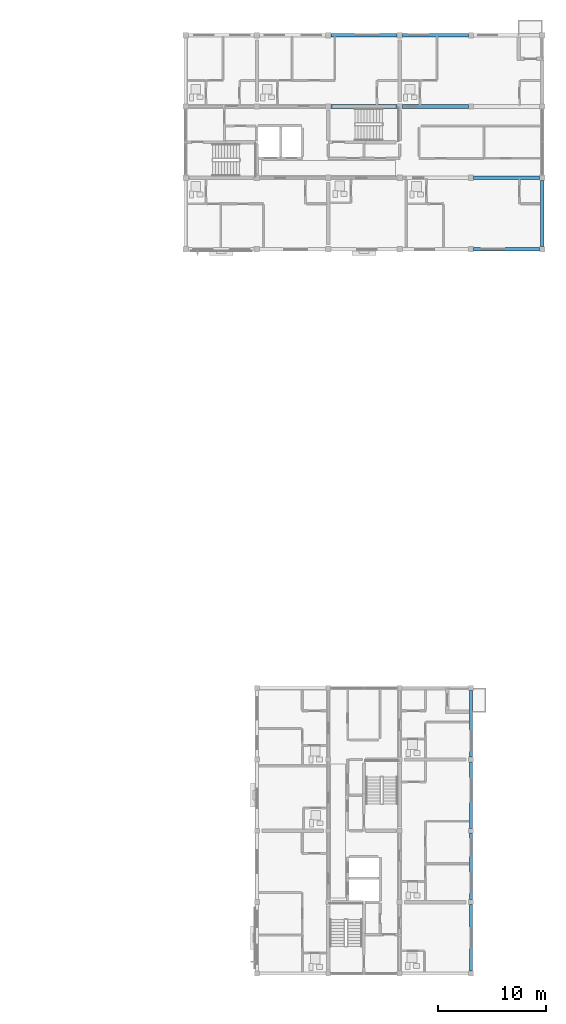
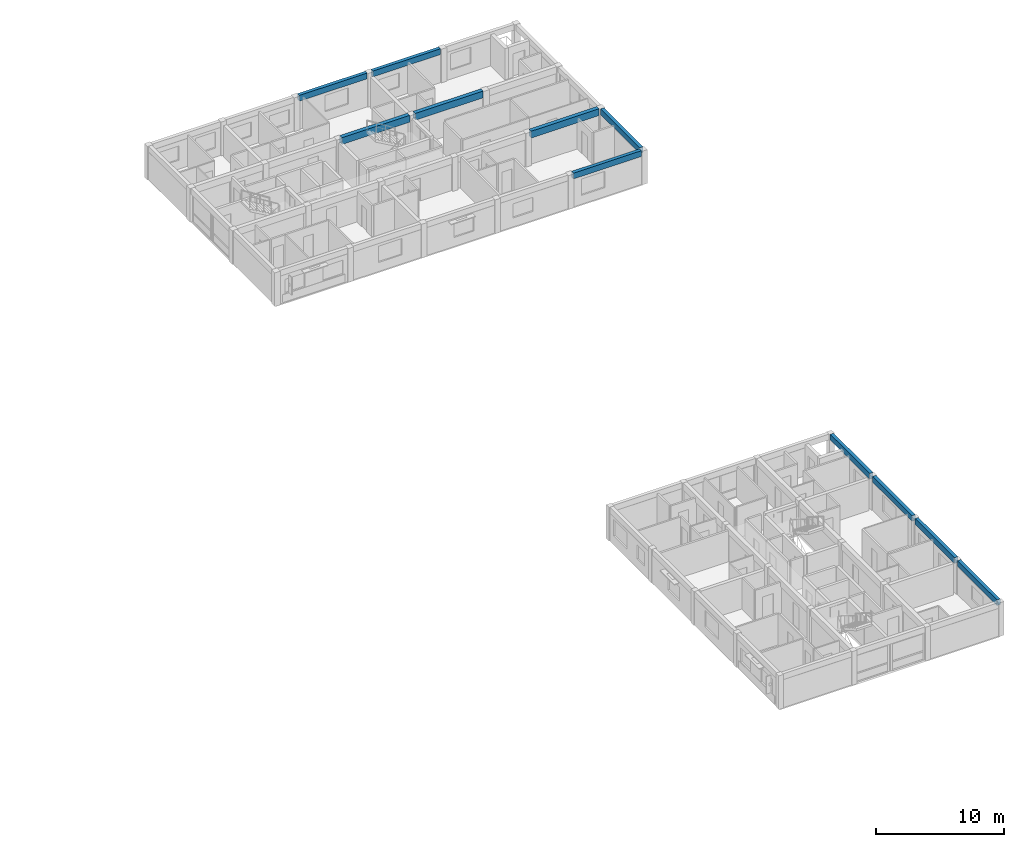
# One storey, part 22 of 53: 11 beams.
"""IFC4 building model written with IfcOpenShell, lengths in metres."""

from ifc_helpers import new_model, si_unit, direction, frame, origin, origin_2d, place, context, subcontext, project, spatial, rectangle, extrude, material, material_profile, profile_set, type_object, element, save


model = new_model("IFC4")

# Units and contexts
model_context = context("Model", 3, precision=1e-05, world=origin(), true_north=direction((0.0, 1.0)))
body_context = subcontext(model_context, "Body", "Model", "MODEL_VIEW")
ifc_project = project(units=[si_unit("LENGTHUNIT", "METRE"), si_unit("AREAUNIT", "SQUARE_METRE"), si_unit("VOLUMEUNIT", "CUBIC_METRE"), si_unit("PLANEANGLEUNIT", "RADIAN"), si_unit("MASSUNIT", "GRAM", prefix="KILO")], contexts=[model_context])

# Site, building, storey
site_placement = place(None, origin())
site = spatial("IfcSite", under=ifc_project, at=site_placement, CompositionType="ELEMENT")
building_placement = place(site_placement, origin())
building = spatial("IfcBuilding", under=site, at=building_placement, Name="Kernevlak Ridge Housing Community", CompositionType="ELEMENT")
storey_placement = place(building_placement, frame((0.0, 0.0, 18.0)))
storey = spatial("IfcBuildingStorey", under=building, at=storey_placement, Name="L05", CompositionType="ELEMENT", Elevation=18.0)

# Beams
ifc_material = material(Name="Concrete C35/45", Category="concrete")
ifc_material_profile_1 = material_profile(ifc_material, rectangle(XDim=0.35009765625, YDim=0.64990234375, at=origin_2d()), Name="RC 350x650")
ifc_profile_set_1 = profile_set([ifc_material_profile_1], Name="Concrete C35/45")
beam_type_1 = type_object("IfcBeamType", Name="B-02", PredefinedType="BEAM", material=ifc_profile_set_1)
for number, where, z_axis, x_axis, name in (
    (1, (146.050048828125, 89.199951171875, 2.875), (1.0, 0.0, 0.0), (0.0, 1.0, 0.0), "Beam B-02 L05 716"),
    (2, (132.85009765625, 95.800048828125, 2.875), (1.0, 0.0, 0.0), (0.0, 1.0, 0.0), "Beam B-02 L05 719"),
):
    element("IfcBeam", number, at=place(storey_placement, frame(where, z_axis=z_axis, x_axis=x_axis)), inside=storey, type_object=beam_type_1, Name=name, PredefinedType="BEAM", context=body_context, shape_type="SweptSolid", body=[
        extrude(rectangle(XDim=0.35009765625, YDim=0.64990234375, at=origin_2d()), origin(), (0.0, 0.0, 1.0), 6.099853515625),
    ])
beam_1_placement = place(storey_placement, frame((139.449951171875, 95.800048828125, 2.875), z_axis=(1.0, 0.0, 0.0), x_axis=(0.0, 1.0, 0.0)))
element("IfcBeam", 3, at=beam_1_placement, inside=storey, type_object=beam_type_1, Name="Beam B-02 L05 720", PredefinedType="BEAM", context=body_context, shape_type="SweptSolid", body=[
    extrude(rectangle(XDim=0.35009765625, YDim=0.64990234375, at=origin_2d()), origin(), (0.0, 0.0, 1.0), 6.10009765625),
])
ifc_material_profile_2 = material_profile(ifc_material, rectangle(XDim=0.300048828125, YDim=0.550048828125, at=origin_2d()), Name="RC 300x550")
ifc_profile_set_2 = profile_set([ifc_material_profile_2], Name="Concrete C35/45")
beam_type_2 = type_object("IfcBeamType", Name="SP-01", PredefinedType="SPANDREL", material=ifc_profile_set_2)
for number, where, z_axis, x_axis, name in (
    (4, (146.050048828125, 82.60009765625, 2.925048828125), (1.0, 0.0, 0.0), (0.0, 1.0, 0.0), "Beam SP-01 L05 711"),
    (5, (132.85009765625, 102.39990234375, 2.925048828125), (1.0, 0.0, 0.0), (0.0, 1.0, 0.0), "Beam SP-01 L05 724"),
):
    element("IfcBeam", number, at=place(storey_placement, frame(where, z_axis=z_axis, x_axis=x_axis)), inside=storey, type_object=beam_type_2, Name=name, PredefinedType="SPANDREL", context=body_context, shape_type="SweptSolid", body=[
        extrude(rectangle(XDim=0.300048828125, YDim=0.550048828125, at=origin_2d()), origin(), (0.0, 0.0, 1.0), 6.099853515625),
    ])
beam_2_placement = place(storey_placement, frame((139.449951171875, 102.39990234375, 2.925048828125), z_axis=(1.0, 0.0, 0.0), x_axis=(0.0, 1.0, 0.0)))
element("IfcBeam", 6, at=beam_2_placement, inside=storey, type_object=beam_type_2, Name="Beam SP-01 L05 725", PredefinedType="SPANDREL", context=body_context, shape_type="SweptSolid", body=[
    extrude(rectangle(XDim=0.300048828125, YDim=0.550048828125, at=origin_2d()), origin(), (0.0, 0.0, 1.0), 6.10009765625),
])
beam_3_placement = place(storey_placement, frame((152.39990234375, 82.85009765625, 2.925048828125), z_axis=(0.0, 1.0, 0.0), x_axis=(-1.0, 0.0, 0.0)))
element("IfcBeam", 7, at=beam_3_placement, inside=storey, type_object=beam_type_2, Name="Beam SP-01 L05 730", PredefinedType="SPANDREL", context=body_context, shape_type="SweptSolid", body=[
    extrude(rectangle(XDim=0.300048828125, YDim=0.550048828125, at=origin_2d()), origin(), (0.0, 0.0, 1.0), 6.099853515625),
])
beam_4_placement = place(storey_placement, frame((145.800048828125, 15.824951171875, 2.925048828125), z_axis=(0.0, 1.0, 0.0), x_axis=(-1.0, 0.0, 0.0)))
element("IfcBeam", 8, at=beam_4_placement, inside=storey, type_object=beam_type_2, Name="Beam SP-01 L05 1124", PredefinedType="SPANDREL", context=body_context, shape_type="SweptSolid", body=[
    extrude(rectangle(XDim=0.300048828125, YDim=0.550048828125, at=origin_2d()), origin(), (0.0, 0.0, 1.0), 6.150146484375),
])
beam_5_placement = place(storey_placement, frame((145.800048828125, 22.425048828125, 2.925048828125), z_axis=(0.0, 1.0, 0.0), x_axis=(-1.0, 0.0, 0.0)))
element("IfcBeam", 9, at=beam_5_placement, inside=storey, type_object=beam_type_2, Name="Beam SP-01 L05 1125", PredefinedType="SPANDREL", context=body_context, shape_type="SweptSolid", body=[
    extrude(rectangle(XDim=0.300048828125, YDim=0.550048828125, at=origin_2d()), origin(), (0.0, 0.0, 1.0), 6.14990234375),
])
beam_6_placement = place(storey_placement, frame((145.800048828125, 29.02490234375, 2.925048828125), z_axis=(0.0, 1.0, 0.0), x_axis=(-1.0, 0.0, 0.0)))
element("IfcBeam", 10, at=beam_6_placement, inside=storey, type_object=beam_type_2, Name="Beam SP-01 L05 1126", PredefinedType="SPANDREL", context=body_context, shape_type="SweptSolid", body=[
    extrude(rectangle(XDim=0.300048828125, YDim=0.550048828125, at=origin_2d()), origin(), (0.0, 0.0, 1.0), 6.150146484375),
])
beam_7_placement = place(storey_placement, frame((145.800048828125, 35.625, 2.925048828125), z_axis=(0.0, 1.0, 0.0), x_axis=(-1.0, 0.0, 0.0)))
element("IfcBeam", 11, at=beam_7_placement, inside=storey, type_object=beam_type_2, Name="Beam SP-01 L05 1127", PredefinedType="SPANDREL", context=body_context, shape_type="SweptSolid", body=[
    extrude(rectangle(XDim=0.300048828125, YDim=0.550048828125, at=origin_2d()), origin(), (0.0, 0.0, 1.0), 6.14990234375),
])

save(model, "model.ifc")
